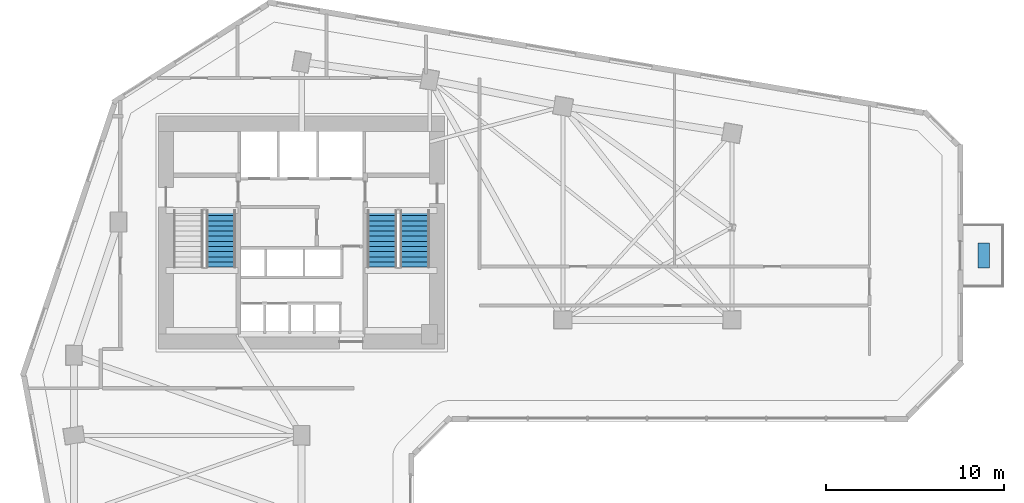
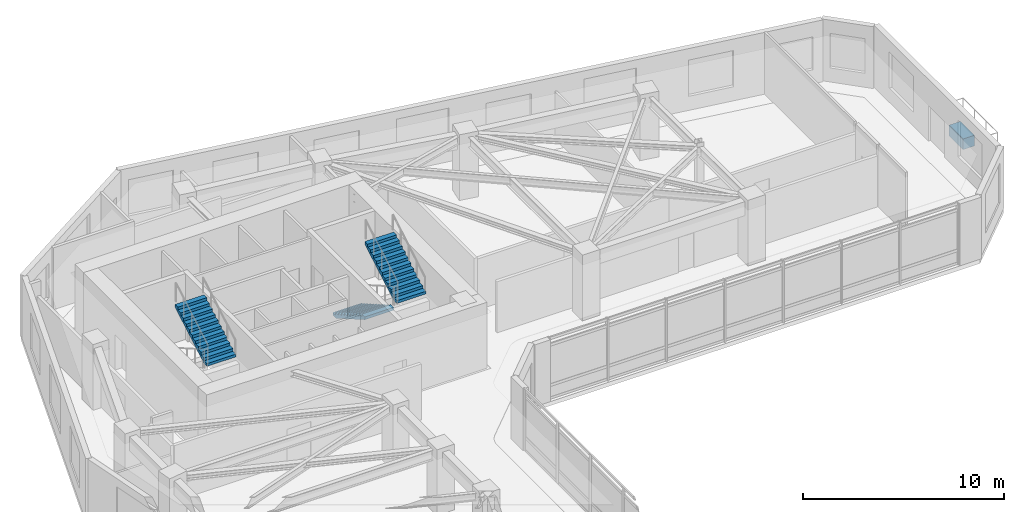
# One storey, part 8 of 11: 3 stair flights, 1 discrete accessory, 2 elements without a shape of their own.
"""IFC4 building model written with IfcOpenShell, lengths in metres."""

from ifc_helpers import new_model, si_unit, direction, frame, origin, origin_2d, place, context, subcontext, project, spatial, polyline, rectangle, outline, extrude, source, transform, mapped, material, type_object, element, aggregate, save


model = new_model("IFC4")

# Units and contexts
model_context = context("Model", 3, precision=1e-05, world=origin(), true_north=direction((0.0, 1.0)))
body_context = subcontext(model_context, "Body", "Model", "MODEL_VIEW")
ifc_project = project(units=[si_unit("LENGTHUNIT", "METRE"), si_unit("AREAUNIT", "SQUARE_METRE"), si_unit("VOLUMEUNIT", "CUBIC_METRE"), si_unit("PLANEANGLEUNIT", "RADIAN"), si_unit("MASSUNIT", "GRAM", prefix="KILO")], contexts=[model_context])

# Site, building, storey
site_placement = place(None, origin())
site = spatial("IfcSite", under=ifc_project, at=site_placement, CompositionType="ELEMENT")
building_placement = place(site_placement, origin())
building = spatial("IfcBuilding", under=site, at=building_placement, Name="Calvemar Wedge Station Tower", CompositionType="ELEMENT")
storey_placement = place(building_placement, frame((0.0, 0.0, 31.0)))
storey = spatial("IfcBuildingStorey", under=building, at=storey_placement, Name="L07", CompositionType="ELEMENT", Elevation=31.0)

# Stair, stair flight
ifc_material_1 = material(Name="Concrete C45", Category="concrete")
stair_type = type_object("IfcStairType", Name="ST-TYPE-4000", PredefinedType="HALF_TURN_STAIR", material=ifc_material_1)
stair_1_placement = place(storey_placement, origin())
stair_1 = element("IfcStair", 1, at=stair_1_placement, inside=storey, type_object=stair_type, Name="L07 Pressurized Core Exit Stair ST-C1", PredefinedType="HALF_TURN_STAIR")
stair_flight_type = type_object("IfcStairFlightType", Name="STF-TYPE-4000", PredefinedType="STRAIGHT", material=ifc_material_1)
stair_flight_1_placement = place(storey_placement, frame((19.27001953125, 37.9599609375, 2.0), z_axis=(0.0, 0.0, 1.0), x_axis=(0.0, 1.0, 0.0)))
stair_flight_1 = element("IfcStairFlight", 2, at=stair_flight_1_placement, type_object=stair_flight_type, Name="ST-C1 flight 2", NumberOfRisers=12, NumberOfTreads=11, PredefinedType="STRAIGHT", RiserHeight=0.166666667, TreadLength=0.29, context=body_context, shape_type="SweptSolid", body=[
    extrude(outline(polyline([(0.0, 0.0), (0.0, 0.166748046875), (0.2900390625, 0.166748046875), (0.2900390625, 0.333251953125), (0.580078125, 0.333251953125), (0.580078125, 0.5), (0.8701171875, 0.5), (0.8701171875, 0.666748046875), (1.159912109375, 0.666748046875), (1.159912109375, 0.833251953125), (1.449951171875, 0.833251953125), (1.449951171875, 1.0), (1.739990234375, 1.0), (1.739990234375, 1.166748046875), (2.030029296875, 1.166748046875), (2.030029296875, 1.333251953125), (2.320068359375, 1.333251953125), (2.320068359375, 1.5), (2.610107421875, 1.5), (2.610107421875, 1.666748046875), (2.89990234375, 1.666748046875), (2.89990234375, 1.833251953125), (3.18994140625, 1.833251953125), (3.18994140625, 2.0), (3.18994140625, 1.660400390625), (0.30078125, 0.0), (0.0, 0.0)])), frame((0.0, 0.830078125, 0.0), z_axis=(0.0, -1.0, 0.0), x_axis=(1.0, 0.0, 0.0)), (0.0, 0.0, 1.0), 1.659912109375),
])
aggregate(stair_1, [stair_flight_1])

# Stair, stair flights
stair_2_placement = place(storey_placement, origin())
stair_2 = element("IfcStair", 3, at=stair_2_placement, inside=storey, type_object=stair_type, Name="L07 Pressurized Core Exit Stair ST-C2", PredefinedType="HALF_TURN_STAIR")
stair_flight_2_placement = place(storey_placement, frame((28.330078125, 41.14990234375, 0.0), z_axis=(0.0, 0.0, 1.0), x_axis=(0.0, -1.0, 0.0)))
stair_flight_2 = element("IfcStairFlight", 4, at=stair_flight_2_placement, type_object=stair_flight_type, Name="ST-C2 flight 1", NumberOfRisers=12, NumberOfTreads=11, PredefinedType="STRAIGHT", RiserHeight=0.166666667, TreadLength=0.29, context=body_context, shape_type="SweptSolid", body=[
    extrude(outline(polyline([(0.0, 0.0), (0.0, 0.166748046875), (0.2900390625, 0.166748046875), (0.2900390625, 0.333251953125), (0.580078125, 0.333251953125), (0.580078125, 0.5), (0.8701171875, 0.5), (0.8701171875, 0.666748046875), (1.159912109375, 0.666748046875), (1.159912109375, 0.833251953125), (1.449951171875, 0.833251953125), (1.449951171875, 1.0), (1.739990234375, 1.0), (1.739990234375, 1.166748046875), (2.030029296875, 1.166748046875), (2.030029296875, 1.333251953125), (2.320068359375, 1.333251953125), (2.320068359375, 1.5), (2.610107421875, 1.5), (2.610107421875, 1.666748046875), (2.89990234375, 1.666748046875), (2.89990234375, 1.833251953125), (3.18994140625, 1.833251953125), (3.18994140625, 2.0), (3.18994140625, 1.660400390625), (0.30078125, 0.0), (0.0, 0.0)])), frame((0.0, 0.830078125, 0.0), z_axis=(0.0, -1.0, 0.0), x_axis=(1.0, 0.0, 0.0)), (0.0, 0.0, 1.0), 1.659912109375),
])
stair_flight_3_placement = place(storey_placement, frame((30.169921875, 37.9599609375, 2.0), z_axis=(0.0, 0.0, 1.0), x_axis=(0.0, 1.0, 0.0)))
stair_flight_3 = element("IfcStairFlight", 5, at=stair_flight_3_placement, type_object=stair_flight_type, Name="ST-C2 flight 2", NumberOfRisers=12, NumberOfTreads=11, PredefinedType="STRAIGHT", RiserHeight=0.166666667, TreadLength=0.29, context=body_context, shape_type="SweptSolid", body=[
    extrude(outline(polyline([(0.0, 0.0), (0.0, 0.166748046875), (0.2900390625, 0.166748046875), (0.2900390625, 0.333251953125), (0.580078125, 0.333251953125), (0.580078125, 0.5), (0.8701171875, 0.5), (0.8701171875, 0.666748046875), (1.159912109375, 0.666748046875), (1.159912109375, 0.833251953125), (1.449951171875, 0.833251953125), (1.449951171875, 1.0), (1.739990234375, 1.0), (1.739990234375, 1.166748046875), (2.030029296875, 1.166748046875), (2.030029296875, 1.333251953125), (2.320068359375, 1.333251953125), (2.320068359375, 1.5), (2.610107421875, 1.5), (2.610107421875, 1.666748046875), (2.89990234375, 1.666748046875), (2.89990234375, 1.833251953125), (3.18994140625, 1.833251953125), (3.18994140625, 2.0), (3.18994140625, 1.660400390625), (0.30078125, 0.0), (0.0, 0.0)])), frame((0.0, 0.830078125, 0.0), z_axis=(0.0, -1.0, 0.0), x_axis=(1.0, 0.0, 0.0)), (0.0, 0.0, 1.0), 1.659912109375),
])
aggregate(stair_2, [stair_flight_2, stair_flight_3])

# Discrete accessory
ifc_material_2 = material(Name="Precast concrete C45", Category="concrete")
discrete_accessory_type = type_object("IfcDiscreteAccessoryType", Name="ACC-PLANTER", PredefinedType="USERDEFINED", material=ifc_material_2)
shared_shape = source(origin(), body_context, "Body", "SweptSolid", [
    extrude(rectangle(XDim=0.64990234375, YDim=1.39990234375, at=origin_2d()), origin(), (0.0, 0.0, 1.0), 0.64990234375),
])
discrete_accessory_placement = place(storey_placement, frame((62.14990234375, 38.610107421875, 0.0), z_axis=(0.0, 0.0, 1.0), x_axis=(1.0, 0.0, 0.0)))
element("IfcDiscreteAccessory", 6, at=discrete_accessory_placement, inside=storey, type_object=discrete_accessory_type, Name="Storey L07 Planted Terrace GFRC Planter", ObjectType="PLANTER", PredefinedType="USERDEFINED", context=body_context, shape_type="MappedRepresentation", body=[
    mapped(shared_shape, transform((0.0, 0.0, 0.0), scale=1.0)),
])

save(model, "model.ifc")
